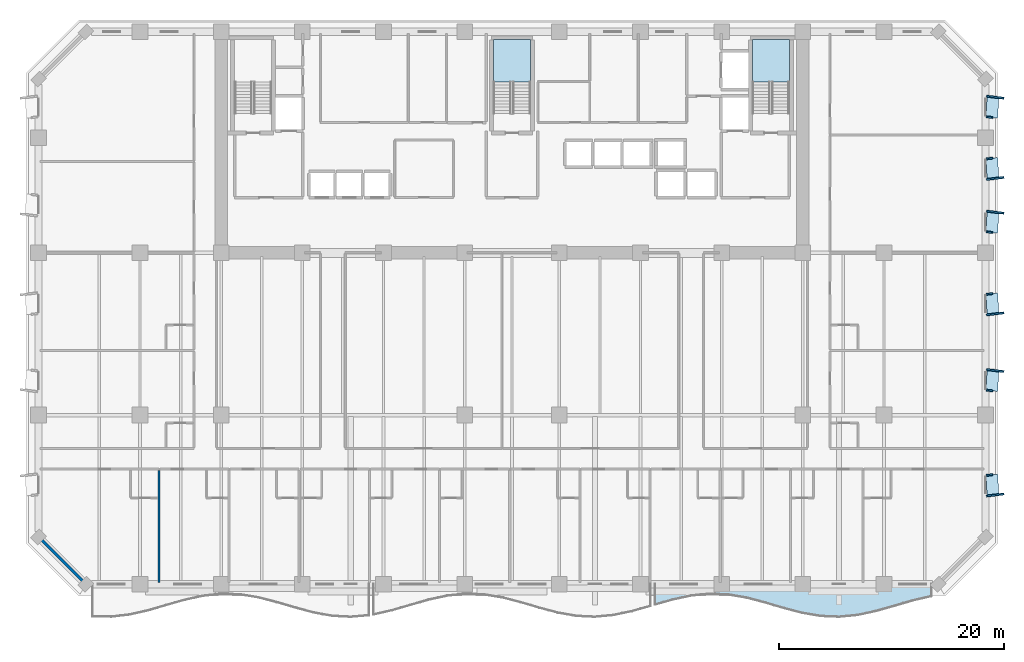
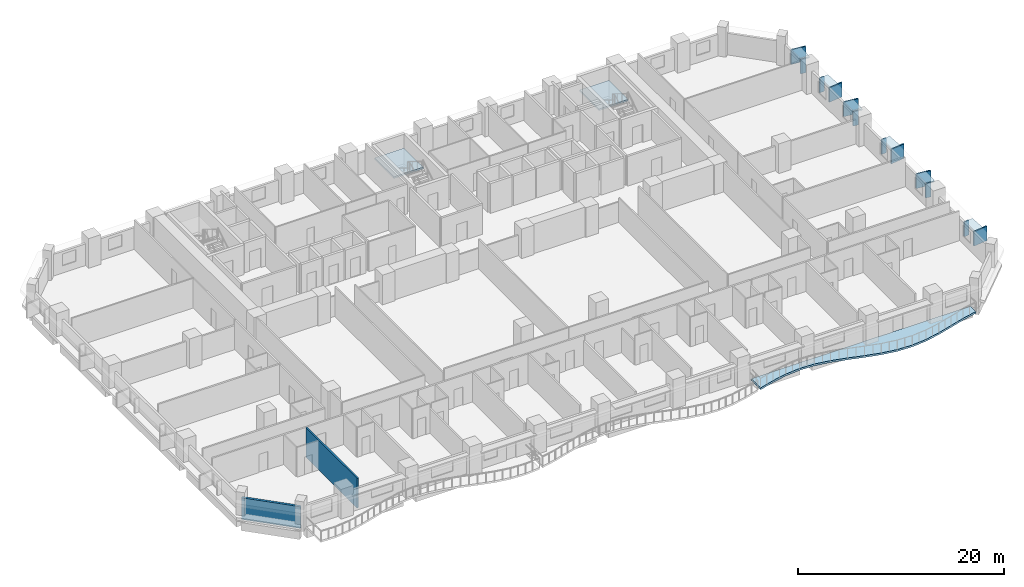
# One storey, part 3 of 15: 18 plates, 3 slabs, 2 walls, 2 elements without a shape of their own.
"""IFC4 building model written with IfcOpenShell, lengths in metres."""

from ifc_helpers import new_model, si_unit, direction, frame, frame_2d, origin, origin_2d, place, context, subcontext, project, spatial, polyline, rectangle, outline, extrude, material, layer, layer_set, type_object, element, aggregate, save


model = new_model("IFC4")

# Units and contexts
model_context = context("Model", 3, precision=1e-05, world=origin(), true_north=direction((0.0, 1.0)))
body_context = subcontext(model_context, "Body", "Model", "MODEL_VIEW")
ifc_project = project(units=[si_unit("LENGTHUNIT", "METRE"), si_unit("AREAUNIT", "SQUARE_METRE"), si_unit("VOLUMEUNIT", "CUBIC_METRE"), si_unit("PLANEANGLEUNIT", "RADIAN"), si_unit("MASSUNIT", "GRAM", prefix="KILO")], contexts=[model_context])

# Site, building, storey
site_placement = place(None, origin())
site = spatial("IfcSite", under=ifc_project, at=site_placement, CompositionType="ELEMENT")
building_placement = place(site_placement, origin())
building = spatial("IfcBuilding", under=site, at=building_placement, Name="Kaelvorn Grand Hotel", CompositionType="ELEMENT")
storey_placement = place(building_placement, frame((0.0, 0.0, 38.89990234375)))
storey = spatial("IfcBuildingStorey", under=building, at=storey_placement, Name="L07", CompositionType="ELEMENT", Elevation=38.89990234375)

# Plates
ifc_material_1 = material(Name="Precast concrete C45/55", Category="concrete")
ifc_layer_1 = layer(ifc_material_1, 0.159912109375)
ifc_layer_set_1 = layer_set([ifc_layer_1], Name="Precast concrete C45/55")
plate_type_1 = type_object("IfcPlateType", Name="PL-FRAME-DEEP-1550", PredefinedType="USERDEFINED", material=ifc_layer_set_1)
for number, where, z_axis, x_axis, name in (
    (1, (84.864990234375, 7.909912109375, 0.68994140625), (0.0, 0.0, 1.0), (-0.121869343405, 0.992546151641, 0.0), "L07 Tilted Precast Window Frame Fin L-E01"),
    (2, (84.864990234375, 18.955078125, 0.68994140625), (0.0, 0.0, 1.0), (0.121869343405, 0.992546151641, 0.0), "L07 Tilted Precast Window Frame Fin R-E02"),
    (3, (84.864990234375, 23.97509765625, 0.68994140625), (0.0, 0.0, 1.0), (-0.121869343405, 0.992546151641, 0.0), "L07 Tilted Precast Window Frame Fin L-E03"),
    (4, (84.864990234375, 33.0048828125, 0.68994140625), (0.0, 0.0, 1.0), (0.121869343405, 0.992546151641, 0.0), "L07 Tilted Precast Window Frame Fin R-E04"),
    (5, (84.864990234375, 35.9951171875, 0.68994140625), (0.0, 0.0, 1.0), (-0.121869343405, 0.992546151641, 0.0), "L07 Tilted Precast Window Frame Fin L-E05"),
    (6, (84.864990234375, 43.205078125, 0.68994140625), (0.0, 0.0, 1.0), (0.121869343405, 0.992546151641, 0.0), "L07 Tilted Precast Window Frame Fin R-E06"),
):
    element("IfcPlate", number, at=place(storey_placement, frame(where, z_axis=z_axis, x_axis=x_axis)), inside=storey, type_object=plate_type_1, Name=name, ObjectType="FLANGE_PLATE", PredefinedType="USERDEFINED", context=body_context, shape_type="SweptSolid", body=[
        extrude(rectangle(XDim=0.159912109375, YDim=1.550048828125, at=origin_2d()), origin(), (0.0, 0.0, 1.0), 1.719970703125),
    ])
ifc_layer_2 = layer(ifc_material_1, 0.159912109375)
ifc_layer_set_2 = layer_set([ifc_layer_2], Name="Precast concrete C45/55")
plate_type_2 = type_object("IfcPlateType", Name="PL-FRAME-HEAD-1050", PredefinedType="USERDEFINED", material=ifc_layer_set_2)
for number, where, z_axis, x_axis, name in (
    (7, (84.614990234375, 8.800048828125, 2.25), (0.0, 0.0, 1.0), (-0.054950179912, 0.998489097451, 0.0), "L07 Precast Window Frame Head Hood H-E01"),
    (8, (84.614990234375, 18.06494140625, 2.25), (0.0, 0.0, 1.0), (0.054950179912, 0.998489097451, 0.0), "L07 Precast Window Frame Head Hood H-E02"),
    (9, (84.614990234375, 24.864990234375, 2.25), (0.0, 0.0, 1.0), (-0.054950179912, 0.998489097451, 0.0), "L07 Precast Window Frame Head Hood H-E03"),
    (10, (84.614990234375, 32.114990234375, 2.25), (0.0, 0.0, 1.0), (0.054950179912, 0.998489097451, 0.0), "L07 Precast Window Frame Head Hood H-E04"),
    (11, (84.614990234375, 36.885009765625, 2.25), (0.0, 0.0, 1.0), (-0.054950179912, 0.998489097451, 0.0), "L07 Precast Window Frame Head Hood H-E05"),
    (12, (84.614990234375, 42.31494140625, 2.25), (0.0, 0.0, 1.0), (0.054950179912, 0.998489097451, 0.0), "L07 Precast Window Frame Head Hood H-E06"),
):
    element("IfcPlate", number, at=place(storey_placement, frame(where, z_axis=z_axis, x_axis=x_axis)), inside=storey, type_object=plate_type_2, Name=name, ObjectType="FLANGE_PLATE", PredefinedType="USERDEFINED", context=body_context, shape_type="SweptSolid", body=[
        extrude(rectangle(XDim=1.860107421875, YDim=1.050048828125, at=origin_2d()), origin(), (0.0, 0.0, 1.0), 0.159912109375),
    ])
ifc_layer_3 = layer(ifc_material_1, 0.159912109375)
ifc_layer_set_3 = layer_set([ifc_layer_3], Name="Precast concrete C45/55")
plate_type_3 = type_object("IfcPlateType", Name="PL-FRAME-SHAL-550", PredefinedType="USERDEFINED", material=ifc_layer_set_3)
for number, where, z_axis, x_axis, name in (
    (13, (84.364990234375, 9.68994140625, 0.68994140625), (0.0, 0.0, 1.0), (-0.121869343405, 0.992546151641, 0.0), "L07 Tilted Precast Window Frame Fin R-E01"),
    (14, (84.364990234375, 17.175048828125, 0.68994140625), (0.0, 0.0, 1.0), (0.121869343405, 0.992546151641, 0.0), "L07 Tilted Precast Window Frame Fin L-E02"),
    (15, (84.364990234375, 25.7548828125, 0.68994140625), (0.0, 0.0, 1.0), (-0.121869343405, 0.992546151641, 0.0), "L07 Tilted Precast Window Frame Fin R-E03"),
    (16, (84.364990234375, 31.22509765625, 0.68994140625), (0.0, 0.0, 1.0), (0.121869343405, 0.992546151641, 0.0), "L07 Tilted Precast Window Frame Fin L-E04"),
    (17, (84.364990234375, 37.77490234375, 0.68994140625), (0.0, 0.0, 1.0), (-0.121869343405, 0.992546151641, 0.0), "L07 Tilted Precast Window Frame Fin R-E05"),
    (18, (84.364990234375, 41.425048828125, 0.68994140625), (0.0, 0.0, 1.0), (0.121869343405, 0.992546151641, 0.0), "L07 Tilted Precast Window Frame Fin L-E06"),
):
    element("IfcPlate", number, at=place(storey_placement, frame(where, z_axis=z_axis, x_axis=x_axis)), inside=storey, type_object=plate_type_3, Name=name, ObjectType="FLANGE_PLATE", PredefinedType="USERDEFINED", context=body_context, shape_type="SweptSolid", body=[
        extrude(rectangle(XDim=0.159912109375, YDim=0.550048828125, at=origin_2d()), origin(), (0.0, 0.0, 1.0), 1.719970703125),
    ])

# Slab
ifc_material_2 = material(Name="Concrete C40/50", Category="concrete")
ifc_layer_4 = layer(ifc_material_2, 0.219970703125)
ifc_layer_set_4 = layer_set([ifc_layer_4], Name="Concrete C40/50")
slab_type_1 = type_object("IfcSlabType", Name="SLB-BALC-220-C40", PredefinedType="FLOOR", material=ifc_layer_set_4)
slab_1_placement = place(storey_placement, frame((0.0, 0.0, -0.219970703125)))
element("IfcSlab", 19, at=slab_1_placement, inside=storey, type_object=slab_type_1, Name="L07 Scalloped Wave Balcony Slab 3", PredefinedType="FLOOR", context=body_context, shape_type="SweptSolid", body=[
    extrude(outline(polyline([(54.666748046875, -1.8193359375), (56.30224609375, -1.356689453125), (57.937744140625, -1.00927734375), (59.5732421875, -0.85400390625), (61.208984375, -0.925537109375), (62.844482421875, -1.2080078125), (64.47998046875, -1.638671875), (66.115478515625, -2.12158203125), (67.751220703125, -2.550048828125), (69.38671875, -2.828369140625), (71.022216796875, -2.89501953125), (72.65771484375, -2.735107421875), (74.293212890625, -2.384033203125), (75.928955078125, -1.919921875), (77.564453125, -1.446044921875), (79.199951171875, -1.0673828125), (79.199951171875, 0.0), (54.666748046875, 0.0), (54.666748046875, -1.8193359375)])), origin(), (0.0, 0.0, 1.0), 0.219970703125),
])

# Stair, slab
stair_type = type_object("IfcStairType", Name="STR-DOG-1560-R06", PredefinedType="HALF_TURN_STAIR", material=ifc_material_2)
stair_1_placement = place(storey_placement, origin())
stair_1 = element("IfcStair", 20, at=stair_1_placement, inside=storey, type_object=stair_type, Name="L07 Central Core Exit Stair ST2", PredefinedType="HALF_TURN_STAIR")
ifc_layer_5 = layer(ifc_material_2, 0.199951171875)
ifc_layer_set_5 = layer_set([ifc_layer_5], Name="Concrete C40/50")
slab_type_2 = type_object("IfcSlabType", Name="SLB-LAND-200-C40", PredefinedType="LANDING", material=ifc_layer_set_5)
slab_2_placement = place(storey_placement, frame((0.0, 0.0, 1.675048828125)))
slab_2 = element("IfcSlab", 21, at=slab_2_placement, type_object=slab_type_2, Name="ST2 landing 1", PredefinedType="LANDING", context=body_context, shape_type="SweptSolid", body=[
    extrude(outline(polyline([(43.639892578125, 44.56005859375), (43.639892578125, 48.300048828125), (40.360107421875, 48.300048828125), (40.360107421875, 44.56005859375), (43.639892578125, 44.56005859375)])), origin(), (0.0, 0.0, 1.0), 0.199951171875),
])
aggregate(stair_1, [slab_2])

stair_2_placement = place(storey_placement, origin())
stair_2 = element("IfcStair", 22, at=stair_2_placement, inside=storey, type_object=stair_type, Name="L07 East Core Exit Stair ST3", PredefinedType="HALF_TURN_STAIR")
slab_3_placement = place(storey_placement, frame((0.0, 0.0, 1.675048828125)))
slab_3 = element("IfcSlab", 23, at=slab_3_placement, type_object=slab_type_2, Name="ST3 landing 1", PredefinedType="LANDING", context=body_context, shape_type="SweptSolid", body=[
    extrude(outline(polyline([(66.60009765625, 44.56005859375), (66.60009765625, 48.300048828125), (63.320068359375, 48.300048828125), (63.320068359375, 44.56005859375), (66.60009765625, 44.56005859375)])), origin(), (0.0, 0.0, 1.0), 0.199951171875),
])
aggregate(stair_2, [slab_3])

# Walls
ifc_layer_6 = layer(ifc_material_2, 0.260009765625)
ifc_layer_set_6 = layer_set([ifc_layer_6], Name="Concrete C40/50")
wall_type_1 = type_object("IfcWallType", Name="WL-EXT-260-C40", PredefinedType="SOLIDWALL", material=ifc_layer_set_6)
wall_1_placement = place(storey_placement, frame((0.0, 4.199951171875, 0.0), z_axis=(0.0, 0.0, 1.0), x_axis=(0.707106781187, -0.707106781187, 0.0)))
element("IfcWall", 24, at=wall_1_placement, inside=storey, type_object=wall_type_1, Name="L07 Exterior Architectural Concrete Wall 08", PredefinedType="SOLIDWALL", context=body_context, shape_type="SweptSolid", body=[
    extrude(rectangle(XDim=5.939697265625, YDim=0.260009765625, at=frame_2d((2.9697265625, 0.0))), origin(), (0.0, 0.0, 1.0), 2.56005859375),
])
ifc_material_3 = material(Name="Acoustic Gypsum & Stud Partition")
ifc_layer_7 = layer(ifc_material_3, 0.179931640625)
ifc_layer_set_7 = layer_set([ifc_layer_7], Name="Acoustic Gypsum & Stud Partition")
wall_type_2 = type_object("IfcWallType", Name="WL-PART-180-EI60", PredefinedType="PARTITIONING", material=ifc_layer_set_7)
wall_2_placement = place(storey_placement, frame((10.6748046875, 0.14990234375, 0.0), z_axis=(0.0, 0.0, 1.0), x_axis=(0.0, 1.0, 0.0)))
element("IfcWall", 25, at=wall_2_placement, inside=storey, type_object=wall_type_2, Name="L07 Deluxe Panoramic Suite L07-01 E Partition", PredefinedType="PARTITIONING", context=body_context, shape_type="SweptSolid", body=[
    extrude(rectangle(XDim=9.955078125, YDim=0.179931640625, at=frame_2d((4.9775390625, 0.0))), origin(), (0.0, 0.0, 1.0), 3.510009765625),
])

save(model, "model.ifc")
